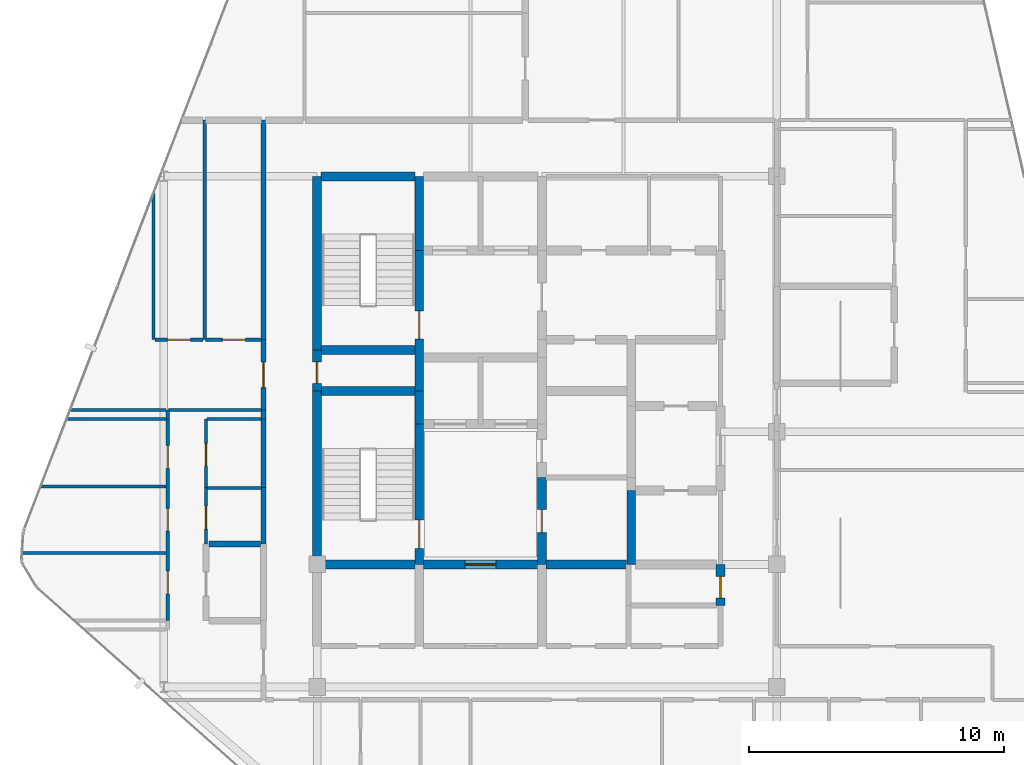
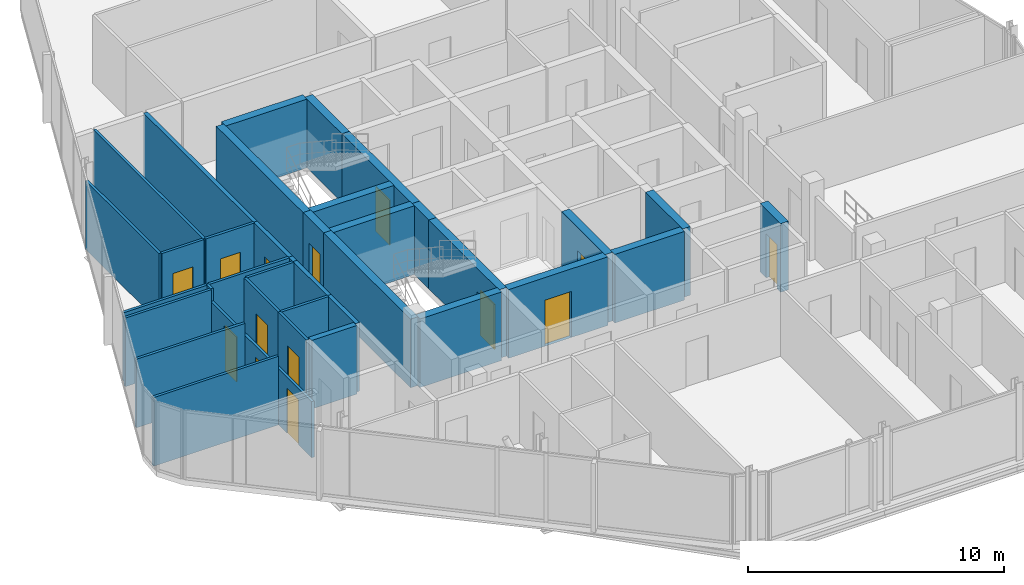
# One storey, part 23 of 27: 37 walls, 14 doors, 14 openings.
"""IFC4 building model written with IfcOpenShell, lengths in metres."""

from ifc_helpers import new_model, si_unit, direction, frame, frame_2d, origin, place, context, subcontext, project, spatial, rectangle, extrude, material, layer, layer_set, type_object, element, fill, save


model = new_model("IFC4")

# Units and contexts
model_context = context("Model", 3, precision=1e-05, world=origin(), true_north=direction((0.0, 1.0)))
body_context = subcontext(model_context, "Body", "Model", "MODEL_VIEW")
ifc_project = project(units=[si_unit("LENGTHUNIT", "METRE"), si_unit("AREAUNIT", "SQUARE_METRE"), si_unit("VOLUMEUNIT", "CUBIC_METRE"), si_unit("PLANEANGLEUNIT", "RADIAN"), si_unit("MASSUNIT", "GRAM", prefix="KILO")], contexts=[model_context])

# Site, building, storey
site_placement = place(None, origin())
site = spatial("IfcSite", under=ifc_project, at=site_placement, CompositionType="ELEMENT")
building_placement = place(site_placement, origin())
building = spatial("IfcBuilding", under=site, at=building_placement, Name="Keshet Zoharim Tower", CompositionType="ELEMENT")
storey_placement = place(building_placement, frame((0.0, 0.0, 311.0)))
storey = spatial("IfcBuildingStorey", under=building, at=storey_placement, Name="L78", CompositionType="ELEMENT", Elevation=311.0)

# Wall
ifc_material_1 = material(Name="Concrete C60/75", Category="concrete")
ifc_layer_1 = layer(ifc_material_1, 0.35009765625)
ifc_layer_set_1 = layer_set([ifc_layer_1], Name="Concrete C60/75")
wall_type_1 = type_object("IfcWallType", Name="WL-CORE-350", PredefinedType="SHEAR", material=ifc_layer_set_1)
wall_1_placement = place(storey_placement, frame((15.0, 22.699951171875, 0.0), z_axis=(0.0, 0.0, 1.0), x_axis=(0.0, 1.0, 0.0)))
element("IfcWall", 1, at=wall_1_placement, inside=storey, type_object=wall_type_1, Name="L78 Core Shear Wall 019", PredefinedType="SHEAR", context=body_context, shape_type="SweptSolid", body=[
    extrude(rectangle(XDim=6.800048828125, YDim=0.35009765625, at=frame_2d((3.39990234375, 0.0))), origin(), (0.0, 0.0, 1.0), 3.280029296875),
])

# Wall, opening, door
wall_2_placement = place(storey_placement, frame((15.0, 29.5, 0.0), z_axis=(0.0, 0.0, 1.0), x_axis=(0.0, 1.0, 0.0)))
wall_2 = element("IfcWall", 2, at=wall_2_placement, inside=storey, type_object=wall_type_1, Name="L78 Core Shear Wall 020", PredefinedType="SHEAR", context=body_context, shape_type="SweptSolid", body=[
    extrude(rectangle(XDim=1.60009765625, YDim=0.35009765625, at=frame_2d((0.800048828125, 0.0))), origin(), (0.0, 0.0, 1.0), 3.280029296875),
])
opening_1_placement = place(wall_2_placement, frame((0.287109375, 0.0, 0.0)))
opening_1 = element("IfcOpeningElement", 3, at=opening_1_placement, cuts=wall_2, Name="Opening D-RS85", PredefinedType="OPENING", context=body_context, shape_type="SweptSolid", body=[
    extrude(rectangle(XDim=0.85009765625, YDim=2.10009765625, at=frame_2d((0.425048828125, 1.050048828125))), frame((0.0, 0.18505859375, 0.0), z_axis=(0.0, -1.0, 0.0), x_axis=(1.0, 0.0, 0.0)), (0.0, 0.0, 1.0), 0.3701171875),
])
ifc_material_2 = material(Name="Hardwood Timber", Category="wood")
door_type_1 = type_object("IfcDoorType", Name="DR-RIS-085", OperationType="NOTDEFINED", PredefinedType="DOOR", material=ifc_material_2)
door_1_placement = place(opening_1_placement, origin())
door_1 = element("IfcDoor", 4, at=door_1_placement, inside=storey, type_object=door_type_1, Name="L78 Electrical Riser Access Cupboard Door", OperationType="SINGLE_SWING_LEFT", OverallHeight=2.10009765625, OverallWidth=0.85009765625, PredefinedType="DOOR", context=body_context, shape_type="SweptSolid", body=[
    extrude(rectangle(XDim=0.85009765625, YDim=2.10009765625, at=frame_2d((0.425048828125, 1.050048828125))), frame((0.0, 0.02490234375, 0.0), z_axis=(0.0, -1.0, 0.0), x_axis=(1.0, 0.0, 0.0)), (0.0, 0.0, 1.0), 0.050048828125),
])
fill(opening_1, door_1)

# Wall
wall_3_placement = place(storey_placement, frame((15.0, 31.10009765625, 0.0), z_axis=(0.0, 0.0, 1.0), x_axis=(0.0, 1.0, 0.0)))
element("IfcWall", 5, at=wall_3_placement, inside=storey, type_object=wall_type_1, Name="L78 Core Shear Wall 021", PredefinedType="SHEAR", context=body_context, shape_type="SweptSolid", body=[
    extrude(rectangle(XDim=6.7998046875, YDim=0.35009765625, at=frame_2d((3.39990234375, 0.0))), origin(), (0.0, 0.0, 1.0), 3.280029296875),
])

# Wall, opening, door
wall_4_placement = place(storey_placement, frame((19.0, 22.699951171875, 0.0), z_axis=(0.0, 0.0, 1.0), x_axis=(0.0, 1.0, 0.0)))
wall_4 = element("IfcWall", 6, at=wall_4_placement, inside=storey, type_object=wall_type_1, Name="L78 Core Shear Wall 025", PredefinedType="SHEAR", context=body_context, shape_type="SweptSolid", body=[
    extrude(rectangle(XDim=5.5, YDim=0.35009765625, at=frame_2d((2.75, 0.0))), origin(), (0.0, 0.0, 1.0), 3.280029296875),
])
opening_2_placement = place(wall_4_placement, frame((0.631103515625, 0.0, 0.0)))
opening_2 = element("IfcOpeningElement", 7, at=opening_2_placement, cuts=wall_4, Name="Opening D-F611", PredefinedType="OPENING", context=body_context, shape_type="SweptSolid", body=[
    extrude(rectangle(XDim=1.10009765625, YDim=2.14990234375, at=frame_2d((0.550048828125, 1.074951171875))), frame((0.0, 0.18505859375, 0.0), z_axis=(0.0, -1.0, 0.0), x_axis=(1.0, 0.0, 0.0)), (0.0, 0.0, 1.0), 0.3701171875),
])
door_type_2 = type_object("IfcDoorType", Name="DR-FD60-110", OperationType="NOTDEFINED", PredefinedType="DOOR", material=ifc_material_2)
door_2_placement = place(opening_2_placement, origin())
door_2 = element("IfcDoor", 8, at=door_2_placement, inside=storey, type_object=door_type_2, Name="L78 Exit Stair ST-01 Fire Door", OperationType="SINGLE_SWING_LEFT", OverallHeight=2.14990234375, OverallWidth=1.10009765625, PredefinedType="DOOR", context=body_context, shape_type="SweptSolid", body=[
    extrude(rectangle(XDim=1.10009765625, YDim=2.14990234375, at=frame_2d((0.550048828125, 1.074951171875))), frame((0.0, 0.02490234375, 0.0), z_axis=(0.0, -1.0, 0.0), x_axis=(1.0, 0.0, 0.0)), (0.0, 0.0, 1.0), 0.050048828125),
])
fill(opening_2, door_2)

# Wall
wall_5_placement = place(storey_placement, frame((19.0, 28.199951171875, 0.0), z_axis=(0.0, 0.0, 1.0), x_axis=(0.0, 1.0, 0.0)))
element("IfcWall", 9, at=wall_5_placement, inside=storey, type_object=wall_type_1, Name="L78 Core Shear Wall 026", PredefinedType="SHEAR", context=body_context, shape_type="SweptSolid", body=[
    extrude(rectangle(XDim=1.300048828125, YDim=0.35009765625, at=frame_2d((0.64990234375, 0.0))), origin(), (0.0, 0.0, 1.0), 3.280029296875),
])

# Wall, opening, door
wall_6_placement = place(storey_placement, frame((19.0, 29.5, 0.0), z_axis=(0.0, 0.0, 1.0), x_axis=(0.0, 1.0, 0.0)))
wall_6 = element("IfcWall", 10, at=wall_6_placement, inside=storey, type_object=wall_type_1, Name="L78 Core Shear Wall 027", PredefinedType="SHEAR", context=body_context, shape_type="SweptSolid", body=[
    extrude(rectangle(XDim=5.5, YDim=0.35009765625, at=frame_2d((2.75, 0.0))), origin(), (0.0, 0.0, 1.0), 3.280029296875),
])
opening_3_placement = place(wall_6_placement, frame((2.02490234375, 0.0, 0.0)))
opening_3 = element("IfcOpeningElement", 11, at=opening_3_placement, cuts=wall_6, Name="Opening D-F611", PredefinedType="OPENING", context=body_context, shape_type="SweptSolid", body=[
    extrude(rectangle(XDim=1.10009765625, YDim=2.14990234375, at=frame_2d((0.550048828125, 1.074951171875))), frame((0.0, 0.18505859375, 0.0), z_axis=(0.0, -1.0, 0.0), x_axis=(1.0, 0.0, 0.0)), (0.0, 0.0, 1.0), 0.3701171875),
])
door_3_placement = place(opening_3_placement, origin())
door_3 = element("IfcDoor", 12, at=door_3_placement, inside=storey, type_object=door_type_2, Name="L78 Exit Stair ST-02 Fire Door", OperationType="SINGLE_SWING_RIGHT", OverallHeight=2.14990234375, OverallWidth=1.10009765625, PredefinedType="DOOR", context=body_context, shape_type="SweptSolid", body=[
    extrude(rectangle(XDim=1.10009765625, YDim=2.14990234375, at=frame_2d((0.550048828125, 1.074951171875))), frame((0.0, 0.02490234375, 0.0), z_axis=(0.0, -1.0, 0.0), x_axis=(1.0, 0.0, 0.0)), (0.0, 0.0, 1.0), 0.050048828125),
])
fill(opening_3, door_3)

# Wall
wall_7_placement = place(storey_placement, frame((19.0, 35.0, 0.0), z_axis=(0.0, 0.0, 1.0), x_axis=(0.0, 1.0, 0.0)))
element("IfcWall", 13, at=wall_7_placement, inside=storey, type_object=wall_type_1, Name="L78 Core Shear Wall 028", PredefinedType="SHEAR", context=body_context, shape_type="SweptSolid", body=[
    extrude(rectangle(XDim=2.89990234375, YDim=0.35009765625, at=frame_2d((1.449951171875, 0.0))), origin(), (0.0, 0.0, 1.0), 3.280029296875),
])

# Wall, opening, door
wall_8_placement = place(storey_placement, frame((23.800048828125, 22.699951171875, 0.0), z_axis=(0.0, 0.0, 1.0), x_axis=(0.0, 1.0, 0.0)))
wall_8 = element("IfcWall", 14, at=wall_8_placement, inside=storey, type_object=wall_type_1, Name="L78 Core Shear Wall 038", PredefinedType="SHEAR", context=body_context, shape_type="SweptSolid", body=[
    extrude(rectangle(XDim=3.400146484375, YDim=0.35009765625, at=frame_2d((1.7001953125, 0.0))), origin(), (0.0, 0.0, 1.0), 3.280029296875),
])
opening_4_placement = place(wall_8_placement, frame((1.25, 0.0, 0.0)))
opening_4 = element("IfcOpeningElement", 15, at=opening_4_placement, cuts=wall_8, Name="Opening D-F690", PredefinedType="OPENING", context=body_context, shape_type="SweptSolid", body=[
    extrude(rectangle(XDim=0.89990234375, YDim=2.14990234375, at=frame_2d((0.449951171875, 1.074951171875))), frame((0.0, 0.18505859375, 0.0), z_axis=(0.0, -1.0, 0.0), x_axis=(1.0, 0.0, 0.0)), (0.0, 0.0, 1.0), 0.3701171875),
])
door_type_3 = type_object("IfcDoorType", Name="DR-FD60-090", OperationType="NOTDEFINED", PredefinedType="DOOR", material=ifc_material_2)
door_4_placement = place(opening_4_placement, origin())
door_4 = element("IfcDoor", 16, at=door_4_placement, inside=storey, type_object=door_type_3, Name="L78 Core Linen Store Door", OperationType="SINGLE_SWING_LEFT", OverallHeight=2.14990234375, OverallWidth=0.89990234375, PredefinedType="DOOR", context=body_context, shape_type="SweptSolid", body=[
    extrude(rectangle(XDim=0.89990234375, YDim=2.14990234375, at=frame_2d((0.449951171875, 1.074951171875))), frame((0.0, 0.02490234375, 0.0), z_axis=(0.0, -1.0, 0.0), x_axis=(1.0, 0.0, 0.0)), (0.0, 0.0, 1.0), 0.050048828125),
])
fill(opening_4, door_4)

# Wall
wall_9_placement = place(storey_placement, frame((27.300048828125, 22.699951171875, 0.0), z_axis=(0.0, 0.0, 1.0), x_axis=(0.0, 1.0, 0.0)))
element("IfcWall", 17, at=wall_9_placement, inside=storey, type_object=wall_type_1, Name="L78 Core Shear Wall 046", PredefinedType="SHEAR", context=body_context, shape_type="SweptSolid", body=[
    extrude(rectangle(XDim=2.900146484375, YDim=0.35009765625, at=frame_2d((1.4501953125, 0.0))), origin(), (0.0, 0.0, 1.0), 3.280029296875),
])

# Wall, opening, door
wall_10_placement = place(storey_placement, frame((30.800048828125, 21.10009765625, 0.0), z_axis=(0.0, 0.0, 1.0), x_axis=(0.0, 1.0, 0.0)))
wall_10 = element("IfcWall", 18, at=wall_10_placement, inside=storey, type_object=wall_type_1, Name="L78 Core Shear Wall 054", PredefinedType="SHEAR", context=body_context, shape_type="SweptSolid", body=[
    extrude(rectangle(XDim=1.599853515625, YDim=0.35009765625, at=frame_2d((0.7998046875, 0.0))), origin(), (0.0, 0.0, 1.0), 3.280029296875),
])
opening_5_placement = place(wall_10_placement, frame((0.287109375, 0.0, 0.0)))
opening_5 = element("IfcOpeningElement", 19, at=opening_5_placement, cuts=wall_10, Name="Opening D-RS85", PredefinedType="OPENING", context=body_context, shape_type="SweptSolid", body=[
    extrude(rectangle(XDim=0.85009765625, YDim=2.10009765625, at=frame_2d((0.425048828125, 1.050048828125))), frame((0.0, 0.18505859375, 0.0), z_axis=(0.0, -1.0, 0.0), x_axis=(1.0, 0.0, 0.0)), (0.0, 0.0, 1.0), 0.3701171875),
])
door_5_placement = place(opening_5_placement, origin())
door_5 = element("IfcDoor", 20, at=door_5_placement, inside=storey, type_object=door_type_1, Name="L78 Linen Store Door", OperationType="SINGLE_SWING_LEFT", OverallHeight=2.10009765625, OverallWidth=0.85009765625, PredefinedType="DOOR", context=body_context, shape_type="SweptSolid", body=[
    extrude(rectangle(XDim=0.85009765625, YDim=2.10009765625, at=frame_2d((0.425048828125, 1.050048828125))), frame((0.0, 0.02490234375, 0.0), z_axis=(0.0, -1.0, 0.0), x_axis=(1.0, 0.0, 0.0)), (0.0, 0.0, 1.0), 0.050048828125),
])
fill(opening_5, door_5)

# Wall
wall_11_placement = place(storey_placement, frame((15.159912109375, 22.699951171875, 0.0), z_axis=(0.0, 0.0, 1.0), x_axis=(1.0, 0.0, 0.0)))
element("IfcWall", 21, at=wall_11_placement, inside=storey, type_object=wall_type_1, Name="L78 Core Shear Wall 108", PredefinedType="SHEAR", context=body_context, shape_type="SweptSolid", body=[
    extrude(rectangle(XDim=3.68017578125, YDim=0.35009765625, at=frame_2d((1.840087890625, 0.0))), origin(), (0.0, 0.0, 1.0), 3.280029296875),
])

# Wall, opening, door
wall_12_placement = place(storey_placement, frame((19.159912109375, 22.699951171875, 0.0), z_axis=(0.0, 0.0, 1.0), x_axis=(1.0, 0.0, 0.0)))
wall_12 = element("IfcWall", 22, at=wall_12_placement, inside=storey, type_object=wall_type_1, Name="L78 Core Shear Wall 109", PredefinedType="SHEAR", context=body_context, shape_type="SweptSolid", body=[
    extrude(rectangle(XDim=4.47998046875, YDim=0.35009765625, at=frame_2d((2.239990234375, 0.0))), origin(), (0.0, 0.0, 1.0), 3.280029296875),
])
opening_6_placement = place(wall_12_placement, frame((1.639892578125, 0.0, 0.0)))
opening_6 = element("IfcOpeningElement", 23, at=opening_6_placement, cuts=wall_12, Name="Opening D-F612", PredefinedType="OPENING", context=body_context, shape_type="SweptSolid", body=[
    extrude(rectangle(XDim=1.199951171875, YDim=2.199951171875, at=frame_2d((0.60009765625, 1.10009765625))), frame((0.0, 0.18505859375, 0.0), z_axis=(0.0, -1.0, 0.0), x_axis=(1.0, 0.0, 0.0)), (0.0, 0.0, 1.0), 0.3701171875),
])
door_type_4 = type_object("IfcDoorType", Name="DR-FD60-120", OperationType="NOTDEFINED", PredefinedType="DOOR", material=ifc_material_2)
door_6_placement = place(opening_6_placement, origin())
door_6 = element("IfcDoor", 24, at=door_6_placement, inside=storey, type_object=door_type_4, Name="L78 South Core Lobby Fire Door", OperationType="SINGLE_SWING_LEFT", OverallHeight=2.199951171875, OverallWidth=1.199951171875, PredefinedType="DOOR", context=body_context, shape_type="SweptSolid", body=[
    extrude(rectangle(XDim=1.199951171875, YDim=2.199951171875, at=frame_2d((0.60009765625, 1.10009765625))), frame((0.0, 0.02490234375, 0.0), z_axis=(0.0, -1.0, 0.0), x_axis=(1.0, 0.0, 0.0)), (0.0, 0.0, 1.0), 0.050048828125),
])
fill(opening_6, door_6)

# Walls
wall_13_placement = place(storey_placement, frame((23.9599609375, 22.699951171875, 0.0), z_axis=(0.0, 0.0, 1.0), x_axis=(1.0, 0.0, 0.0)))
element("IfcWall", 25, at=wall_13_placement, inside=storey, type_object=wall_type_1, Name="L78 Core Shear Wall 110", PredefinedType="SHEAR", context=body_context, shape_type="SweptSolid", body=[
    extrude(rectangle(XDim=3.155029296875, YDim=0.35009765625, at=frame_2d((1.57763671875, 0.0))), origin(), (0.0, 0.0, 1.0), 3.280029296875),
])
for number, where, z_axis, x_axis, name in (
    (26, (15.159912109375, 29.5, 0.0), (0.0, 0.0, 1.0), (1.0, 0.0, 0.0), "L78 Core Shear Wall 126"),
    (27, (15.159912109375, 31.10009765625, 0.0), (0.0, 0.0, 1.0), (1.0, 0.0, 0.0), "L78 Core Shear Wall 131"),
    (28, (15.159912109375, 37.89990234375, 0.0), (0.0, 0.0, 1.0), (1.0, 0.0, 0.0), "L78 Core Shear Wall 142"),
):
    element("IfcWall", number, at=place(storey_placement, frame(where, z_axis=z_axis, x_axis=x_axis)), inside=storey, type_object=wall_type_1, Name=name, PredefinedType="SHEAR", context=body_context, shape_type="SweptSolid", body=[
        extrude(rectangle(XDim=3.68017578125, YDim=0.35009765625, at=frame_2d((1.840087890625, 0.0))), origin(), (0.0, 0.0, 1.0), 3.280029296875),
    ])
ifc_material_3 = material(Name="Gypsum Plasterboard", Category="gypsum")
ifc_layer_2 = layer(ifc_material_3, 0.179931640625)
ifc_layer_set_2 = layer_set([ifc_layer_2], Name="Gypsum Plasterboard")
wall_type_2 = type_object("IfcWallType", Name="WL-CORR-180", PredefinedType="STANDARD", material=ifc_layer_set_2)
wall_14_placement = place(storey_placement, frame((12.89990234375, 23.501953125, 0.0), z_axis=(0.0, 0.0, 1.0), x_axis=(0.0, 1.0, 0.0)))
element("IfcWall", 29, at=wall_14_placement, inside=storey, type_object=wall_type_2, Name="L78 Interior Wall 011", PredefinedType="STANDARD", context=body_context, shape_type="SweptSolid", body=[
    extrude(rectangle(XDim=2.212158203125, YDim=0.179931640625, at=frame_2d((1.10595703125, 0.0))), origin(), (0.0, 0.0, 1.0), 3.280029296875),
])
wall_15_placement = place(storey_placement, frame((12.89990234375, 25.714111328125, 0.0), z_axis=(0.0, 0.0, 1.0), x_axis=(0.0, 1.0, 0.0)))
element("IfcWall", 30, at=wall_15_placement, inside=storey, type_object=wall_type_2, Name="L78 Interior Wall 012", PredefinedType="STANDARD", context=body_context, shape_type="SweptSolid", body=[
    extrude(rectangle(XDim=2.685791015625, YDim=0.179931640625, at=frame_2d((1.3427734375, 0.0))), origin(), (0.0, 0.0, 1.0), 3.280029296875),
])
wall_16_placement = place(storey_placement, frame((12.89990234375, 28.39990234375, 0.0), z_axis=(0.0, 0.0, 1.0), x_axis=(0.0, 1.0, 0.0)))
element("IfcWall", 31, at=wall_16_placement, inside=storey, type_object=wall_type_2, Name="L78 Interior Wall 013", PredefinedType="STANDARD", context=body_context, shape_type="SweptSolid", body=[
    extrude(rectangle(XDim=0.35009765625, YDim=0.179931640625, at=frame_2d((0.175048828125, 0.0))), origin(), (0.0, 0.0, 1.0), 3.280029296875),
])

# Wall, opening, door
wall_17_placement = place(storey_placement, frame((12.89990234375, 28.75, 0.0), z_axis=(0.0, 0.0, 1.0), x_axis=(0.0, 1.0, 0.0)))
wall_17 = element("IfcWall", 32, at=wall_17_placement, inside=storey, type_object=wall_type_2, Name="L78 Interior Wall 014", PredefinedType="STANDARD", context=body_context, shape_type="SweptSolid", body=[
    extrude(rectangle(XDim=2.75, YDim=0.179931640625, at=frame_2d((1.375, 0.0))), origin(), (0.0, 0.0, 1.0), 3.280029296875),
])
opening_7_placement = place(wall_17_placement, frame((0.875, 0.0, 0.0)))
opening_7 = element("IfcOpeningElement", 33, at=opening_7_placement, cuts=wall_17, Name="Opening D-F310", PredefinedType="OPENING", context=body_context, shape_type="SweptSolid", body=[
    extrude(rectangle(XDim=1.0, YDim=2.14990234375, at=frame_2d((0.5, 1.074951171875))), frame((0.0, 0.10009765625, 0.0), z_axis=(0.0, -1.0, 0.0), x_axis=(1.0, 0.0, 0.0)), (0.0, 0.0, 1.0), 0.199951171875),
])
door_type_5 = type_object("IfcDoorType", Name="DR-FD30-100", OperationType="NOTDEFINED", PredefinedType="DOOR", material=ifc_material_2)
door_7_placement = place(opening_7_placement, origin())
door_7 = element("IfcDoor", 34, at=door_7_placement, inside=storey, type_object=door_type_5, Name="Apartment 7806 Entrance Door", OperationType="SINGLE_SWING_RIGHT", OverallHeight=2.14990234375, OverallWidth=1.0, PredefinedType="DOOR", context=body_context, shape_type="SweptSolid", body=[
    extrude(rectangle(XDim=1.0, YDim=2.14990234375, at=frame_2d((0.5, 1.074951171875))), frame((0.0, 0.02490234375, 0.0), z_axis=(0.0, -1.0, 0.0), x_axis=(1.0, 0.0, 0.0)), (0.0, 0.0, 1.0), 0.050048828125),
])
fill(opening_7, door_7)

# Walls
wall_18_placement = place(storey_placement, frame((12.89990234375, 31.5, 0.0), z_axis=(0.0, 0.0, 1.0), x_axis=(0.0, 1.0, 0.0)))
element("IfcWall", 35, at=wall_18_placement, inside=storey, type_object=wall_type_2, Name="L78 Interior Wall 015", PredefinedType="STANDARD", context=body_context, shape_type="SweptSolid", body=[
    extrude(rectangle(XDim=8.60009765625, YDim=0.179931640625, at=frame_2d((4.300048828125, 0.0))), origin(), (0.0, 0.0, 1.0), 3.280029296875),
])
ifc_material_4 = material(Name="Concrete C50/60", Category="concrete")
ifc_layer_3 = layer(ifc_material_4, 0.25)
ifc_layer_set_3 = layer_set([ifc_layer_3], Name="Concrete C50/60")
wall_type_3 = type_object("IfcWallType", Name="WL-MAMAD-250", PredefinedType="STANDARD", material=ifc_layer_set_3)
wall_19_placement = place(storey_placement, frame((10.760009765625, 23.5, 0.0), z_axis=(0.0, 0.0, 1.0), x_axis=(1.0, 0.0, 0.0)))
element("IfcWall", 36, at=wall_19_placement, inside=storey, type_object=wall_type_3, Name="L78 Interior Wall 113", PredefinedType="STANDARD", context=body_context, shape_type="SweptSolid", body=[
    extrude(rectangle(XDim=2.030029296875, YDim=0.25, at=frame_2d((1.01513671875, 0.0))), origin(), (0.0, 0.0, 1.0), 3.280029296875),
])
ifc_layer_4 = layer(ifc_material_3, 0.1201171875)
ifc_layer_set_4 = layer_set([ifc_layer_4], Name="Gypsum Plasterboard")
wall_type_4 = type_object("IfcWallType", Name="WL-PART-120", PredefinedType="PARTITIONING", material=ifc_layer_set_4)
wall_20_placement = place(storey_placement, frame((8.60009765625, 31.5, 0.0), z_axis=(0.0, 0.0, 1.0), x_axis=(0.0, 1.0, 0.0)))
element("IfcWall", 37, at=wall_20_placement, inside=storey, type_object=wall_type_4, Name="L78 Interior Wall 001", PredefinedType="PARTITIONING", context=body_context, shape_type="SweptSolid", body=[
    extrude(rectangle(XDim=5.75, YDim=0.1201171875, at=frame_2d((2.875, 0.0))), origin(), (0.0, 0.0, 1.0), 3.280029296875),
])

# Wall, openings, doors
wall_21_placement = place(storey_placement, frame((9.14990234375, 20.5, 0.0), z_axis=(0.0, 0.0, 1.0), x_axis=(0.0, 1.0, 0.0)))
wall_21 = element("IfcWall", 38, at=wall_21_placement, inside=storey, type_object=wall_type_4, Name="L78 Interior Wall 003", PredefinedType="PARTITIONING", context=body_context, shape_type="SweptSolid", body=[
    extrude(rectangle(XDim=7.89990234375, YDim=0.1201171875, at=frame_2d((3.949951171875, 0.0))), origin(), (0.0, 0.0, 1.0), 2.679931640625),
])
opening_8_placement = place(wall_21_placement, frame((1.041015625, 0.0, 0.0)))
opening_8 = element("IfcOpeningElement", 39, at=opening_8_placement, cuts=wall_21, Name="Opening D-IN90", PredefinedType="OPENING", context=body_context, shape_type="SweptSolid", body=[
    extrude(rectangle(XDim=0.89990234375, YDim=2.14990234375, at=frame_2d((0.449951171875, 1.074951171875))), frame((0.0, 0.070068359375, 0.0), z_axis=(0.0, -1.0, 0.0), x_axis=(1.0, 0.0, 0.0)), (0.0, 0.0, 1.0), 0.14013671875),
])
opening_9_placement = place(wall_21_placement, frame((3.5, 0.0, 0.0)))
opening_9 = element("IfcOpeningElement", 40, at=opening_9_placement, cuts=wall_21, Name="Opening D-IN90", PredefinedType="OPENING", context=body_context, shape_type="SweptSolid", body=[
    extrude(rectangle(XDim=0.89990234375, YDim=2.14990234375, at=frame_2d((0.449951171875, 1.074951171875))), frame((0.0, 0.070068359375, 0.0), z_axis=(0.0, -1.0, 0.0), x_axis=(1.0, 0.0, 0.0)), (0.0, 0.0, 1.0), 0.14013671875),
])
opening_10_placement = place(wall_21_placement, frame((5.958984375, 0.0, 0.0)))
opening_10 = element("IfcOpeningElement", 41, at=opening_10_placement, cuts=wall_21, Name="Opening D-IN90", PredefinedType="OPENING", context=body_context, shape_type="SweptSolid", body=[
    extrude(rectangle(XDim=0.89990234375, YDim=2.14990234375, at=frame_2d((0.449951171875, 1.074951171875))), frame((0.0, 0.070068359375, 0.0), z_axis=(0.0, -1.0, 0.0), x_axis=(1.0, 0.0, 0.0)), (0.0, 0.0, 1.0), 0.14013671875),
])
door_type_6 = type_object("IfcDoorType", Name="DR-INT-090", OperationType="NOTDEFINED", PredefinedType="DOOR", material=ifc_material_2)
door_8_placement = place(opening_8_placement, origin())
door_8 = element("IfcDoor", 42, at=door_8_placement, inside=storey, type_object=door_type_6, Name="Apartment 7805 Bedroom 1 Door", OperationType="SINGLE_SWING_LEFT", OverallHeight=2.14990234375, OverallWidth=0.89990234375, PredefinedType="DOOR", context=body_context, shape_type="SweptSolid", body=[
    extrude(rectangle(XDim=0.89990234375, YDim=2.14990234375, at=frame_2d((0.449951171875, 1.074951171875))), frame((0.0, 0.02490234375, 0.0), z_axis=(0.0, -1.0, 0.0), x_axis=(1.0, 0.0, 0.0)), (0.0, 0.0, 1.0), 0.050048828125),
])
fill(opening_8, door_8)
door_9_placement = place(opening_9_placement, origin())
door_9 = element("IfcDoor", 43, at=door_9_placement, inside=storey, type_object=door_type_6, Name="Apartment 7805 Bedroom 2 Door", OperationType="SINGLE_SWING_RIGHT", OverallHeight=2.14990234375, OverallWidth=0.89990234375, PredefinedType="DOOR", context=body_context, shape_type="SweptSolid", body=[
    extrude(rectangle(XDim=0.89990234375, YDim=2.14990234375, at=frame_2d((0.449951171875, 1.074951171875))), frame((0.0, 0.02490234375, 0.0), z_axis=(0.0, -1.0, 0.0), x_axis=(1.0, 0.0, 0.0)), (0.0, 0.0, 1.0), 0.050048828125),
])
fill(opening_9, door_9)
door_10_placement = place(opening_10_placement, origin())
door_10 = element("IfcDoor", 44, at=door_10_placement, inside=storey, type_object=door_type_6, Name="Apartment 7805 Bedroom 3 Door", OperationType="SINGLE_SWING_LEFT", OverallHeight=2.14990234375, OverallWidth=0.89990234375, PredefinedType="DOOR", context=body_context, shape_type="SweptSolid", body=[
    extrude(rectangle(XDim=0.89990234375, YDim=2.14990234375, at=frame_2d((0.449951171875, 1.074951171875))), frame((0.0, 0.02490234375, 0.0), z_axis=(0.0, -1.0, 0.0), x_axis=(1.0, 0.0, 0.0)), (0.0, 0.0, 1.0), 0.050048828125),
])
fill(opening_10, door_10)

# Wall
wall_22_placement = place(storey_placement, frame((9.14990234375, 28.39990234375, 0.0), z_axis=(0.0, 0.0, 1.0), x_axis=(0.0, 1.0, 0.0)))
element("IfcWall", 45, at=wall_22_placement, inside=storey, type_object=wall_type_4, Name="L78 Interior Wall 004", PredefinedType="PARTITIONING", context=body_context, shape_type="SweptSolid", body=[
    extrude(rectangle(XDim=0.35009765625, YDim=0.1201171875, at=frame_2d((0.175048828125, 0.0))), origin(), (0.0, 0.0, 1.0), 3.280029296875),
])

# Wall, opening, door
wall_23_placement = place(storey_placement, frame((10.64990234375, 25.714111328125, 0.0), z_axis=(0.0, 0.0, 1.0), x_axis=(0.0, 1.0, 0.0)))
wall_23 = element("IfcWall", 46, at=wall_23_placement, inside=storey, type_object=wall_type_4, Name="L78 Interior Wall 008", PredefinedType="PARTITIONING", context=body_context, shape_type="SweptSolid", body=[
    extrude(rectangle(XDim=2.685791015625, YDim=0.1201171875, at=frame_2d((1.3427734375, 0.0))), origin(), (0.0, 0.0, 1.0), 3.280029296875),
])
opening_11_placement = place(wall_23_placement, frame((0.822021484375, 0.0, 0.0)))
opening_11 = element("IfcOpeningElement", 47, at=opening_11_placement, cuts=wall_23, Name="Opening D-IN90", PredefinedType="OPENING", context=body_context, shape_type="SweptSolid", body=[
    extrude(rectangle(XDim=0.89990234375, YDim=2.14990234375, at=frame_2d((0.449951171875, 1.074951171875))), frame((0.0, 0.070068359375, 0.0), z_axis=(0.0, -1.0, 0.0), x_axis=(1.0, 0.0, 0.0)), (0.0, 0.0, 1.0), 0.14013671875),
])
door_11_placement = place(opening_11_placement, origin())
door_11 = element("IfcDoor", 48, at=door_11_placement, inside=storey, type_object=door_type_6, Name="Apartment 7805 Kitchen Door", OperationType="SINGLE_SWING_RIGHT", OverallHeight=2.14990234375, OverallWidth=0.89990234375, PredefinedType="DOOR", context=body_context, shape_type="SweptSolid", body=[
    extrude(rectangle(XDim=0.89990234375, YDim=2.14990234375, at=frame_2d((0.449951171875, 1.074951171875))), frame((0.0, 0.02490234375, 0.0), z_axis=(0.0, -1.0, 0.0), x_axis=(1.0, 0.0, 0.0)), (0.0, 0.0, 1.0), 0.050048828125),
])
fill(opening_11, door_11)

# Walls
wall_24_placement = place(storey_placement, frame((3.451904296875, 23.14990234375, 0.0), z_axis=(0.0, 0.0, 1.0), x_axis=(1.0, 0.0, 0.0)))
element("IfcWall", 49, at=wall_24_placement, inside=storey, type_object=wall_type_4, Name="L78 Interior Wall 112", PredefinedType="PARTITIONING", context=body_context, shape_type="SweptSolid", body=[
    extrude(rectangle(XDim=5.633056640625, YDim=0.1201171875, at=frame_2d((2.81640625, 0.0))), origin(), (0.0, 0.0, 1.0), 3.280029296875),
])
wall_25_placement = place(storey_placement, frame((4.18310546875, 25.75, 0.0), z_axis=(0.0, 0.0, 1.0), x_axis=(1.0, 0.0, 0.0)))
element("IfcWall", 50, at=wall_25_placement, inside=storey, type_object=wall_type_4, Name="L78 Interior Wall 116", PredefinedType="PARTITIONING", context=body_context, shape_type="SweptSolid", body=[
    extrude(rectangle(XDim=4.90185546875, YDim=0.1201171875, at=frame_2d((2.450927734375, 0.0))), origin(), (0.0, 0.0, 1.0), 3.280029296875),
])
wall_26_placement = place(storey_placement, frame((5.201904296875, 28.39990234375, 0.0), z_axis=(0.0, 0.0, 1.0), x_axis=(1.0, 0.0, 0.0)))
element("IfcWall", 51, at=wall_26_placement, inside=storey, type_object=wall_type_4, Name="L78 Interior Wall 120", PredefinedType="PARTITIONING", context=body_context, shape_type="SweptSolid", body=[
    extrude(rectangle(XDim=3.883056640625, YDim=0.1201171875, at=frame_2d((1.94140625, 0.0))), origin(), (0.0, 0.0, 1.0), 3.280029296875),
])
wall_27_placement = place(storey_placement, frame((10.695068359375, 28.39990234375, 0.0), z_axis=(0.0, 0.0, 1.0), x_axis=(1.0, 0.0, 0.0)))
element("IfcWall", 52, at=wall_27_placement, inside=storey, type_object=wall_type_4, Name="L78 Interior Wall 121", PredefinedType="PARTITIONING", context=body_context, shape_type="SweptSolid", body=[
    extrude(rectangle(XDim=2.1298828125, YDim=0.1201171875, at=frame_2d((1.06494140625, 0.0))), origin(), (0.0, 0.0, 1.0), 3.280029296875),
])
wall_28_placement = place(storey_placement, frame((5.3369140625, 28.75, 0.0), z_axis=(0.0, 0.0, 1.0), x_axis=(1.0, 0.0, 0.0)))
element("IfcWall", 53, at=wall_28_placement, inside=storey, type_object=wall_type_4, Name="L78 Interior Wall 122", PredefinedType="PARTITIONING", context=body_context, shape_type="SweptSolid", body=[
    extrude(rectangle(XDim=3.748046875, YDim=0.1201171875, at=frame_2d((1.8740234375, 0.0))), origin(), (0.0, 0.0, 1.0), 3.280029296875),
])
wall_29_placement = place(storey_placement, frame((9.175048828125, 28.75, 0.0), z_axis=(0.0, 0.0, 1.0), x_axis=(1.0, 0.0, 0.0)))
element("IfcWall", 54, at=wall_29_placement, inside=storey, type_object=wall_type_4, Name="L78 Interior Wall 123", PredefinedType="PARTITIONING", context=body_context, shape_type="SweptSolid", body=[
    extrude(rectangle(XDim=3.64990234375, YDim=0.1201171875, at=frame_2d((1.824951171875, 0.0))), origin(), (0.0, 0.0, 1.0), 3.280029296875),
])

# Wall, opening, door
wall_30_placement = place(storey_placement, frame((8.64501953125, 31.5, 0.0), z_axis=(0.0, 0.0, 1.0), x_axis=(1.0, 0.0, 0.0)))
wall_30 = element("IfcWall", 55, at=wall_30_placement, inside=storey, type_object=wall_type_4, Name="L78 Interior Wall 132", PredefinedType="PARTITIONING", context=body_context, shape_type="SweptSolid", body=[
    extrude(rectangle(XDim=1.887939453125, YDim=0.1201171875, at=frame_2d((0.94384765625, 0.0))), origin(), (0.0, 0.0, 1.0), 3.280029296875),
])
opening_12_placement = place(wall_30_placement, frame((0.493896484375, 0.0, 0.0)))
opening_12 = element("IfcOpeningElement", 56, at=opening_12_placement, cuts=wall_30, Name="Opening D-IN90", PredefinedType="OPENING", context=body_context, shape_type="SweptSolid", body=[
    extrude(rectangle(XDim=0.89990234375, YDim=2.14990234375, at=frame_2d((0.449951171875, 1.074951171875))), frame((0.0, 0.070068359375, 0.0), z_axis=(0.0, -1.0, 0.0), x_axis=(1.0, 0.0, 0.0)), (0.0, 0.0, 1.0), 0.14013671875),
])
door_12_placement = place(opening_12_placement, origin())
door_12 = element("IfcDoor", 57, at=door_12_placement, inside=storey, type_object=door_type_6, Name="Apartment 7806 Kitchen Door", OperationType="SINGLE_SWING_RIGHT", OverallHeight=2.14990234375, OverallWidth=0.89990234375, PredefinedType="DOOR", context=body_context, shape_type="SweptSolid", body=[
    extrude(rectangle(XDim=0.89990234375, YDim=2.14990234375, at=frame_2d((0.449951171875, 1.074951171875))), frame((0.0, 0.02490234375, 0.0), z_axis=(0.0, -1.0, 0.0), x_axis=(1.0, 0.0, 0.0)), (0.0, 0.0, 1.0), 0.050048828125),
])
fill(opening_12, door_12)

# Wall
ifc_layer_5 = layer(ifc_material_3, 0.1201171875)
ifc_layer_set_5 = layer_set([ifc_layer_5], Name="Gypsum Plasterboard")
wall_type_5 = type_object("IfcWallType", Name="WL-WET-120", PredefinedType="PARTITIONING", material=ifc_layer_set_5)
wall_31_placement = place(storey_placement, frame((10.60009765625, 31.5, 0.0), z_axis=(0.0, 0.0, 1.0), x_axis=(0.0, 1.0, 0.0)))
element("IfcWall", 58, at=wall_31_placement, inside=storey, type_object=wall_type_5, Name="L78 Interior Wall 005", PredefinedType="PARTITIONING", context=body_context, shape_type="SweptSolid", body=[
    extrude(rectangle(XDim=8.60009765625, YDim=0.1201171875, at=frame_2d((4.300048828125, 0.0))), origin(), (0.0, 0.0, 1.0), 3.280029296875),
])

# Wall, opening, door
wall_32_placement = place(storey_placement, frame((10.64990234375, 23.501953125, 0.0), z_axis=(0.0, 0.0, 1.0), x_axis=(0.0, 1.0, 0.0)))
wall_32 = element("IfcWall", 59, at=wall_32_placement, inside=storey, type_object=wall_type_5, Name="L78 Interior Wall 007", PredefinedType="PARTITIONING", context=body_context, shape_type="SweptSolid", body=[
    extrude(rectangle(XDim=2.212158203125, YDim=0.1201171875, at=frame_2d((1.10595703125, 0.0))), origin(), (0.0, 0.0, 1.0), 3.280029296875),
])
opening_13_placement = place(wall_32_placement, frame((0.577880859375, 0.0, 0.0)))
opening_13 = element("IfcOpeningElement", 60, at=opening_13_placement, cuts=wall_32, Name="Opening D-WT90", PredefinedType="OPENING", context=body_context, shape_type="SweptSolid", body=[
    extrude(rectangle(XDim=0.89990234375, YDim=2.10009765625, at=frame_2d((0.449951171875, 1.050048828125))), frame((0.0, 0.070068359375, 0.0), z_axis=(0.0, -1.0, 0.0), x_axis=(1.0, 0.0, 0.0)), (0.0, 0.0, 1.0), 0.14013671875),
])
door_type_7 = type_object("IfcDoorType", Name="DR-WET-090", OperationType="NOTDEFINED", PredefinedType="DOOR", material=ifc_material_2)
door_13_placement = place(opening_13_placement, origin())
door_13 = element("IfcDoor", 61, at=door_13_placement, inside=storey, type_object=door_type_7, Name="Apartment 7805 Bathroom Door", OperationType="SINGLE_SWING_LEFT", OverallHeight=2.10009765625, OverallWidth=0.89990234375, PredefinedType="DOOR", context=body_context, shape_type="SweptSolid", body=[
    extrude(rectangle(XDim=0.89990234375, YDim=2.10009765625, at=frame_2d((0.449951171875, 1.050048828125))), frame((0.0, 0.02490234375, 0.0), z_axis=(0.0, -1.0, 0.0), x_axis=(1.0, 0.0, 0.0)), (0.0, 0.0, 1.0), 0.050048828125),
])
fill(opening_13, door_13)

# Wall
wall_33_placement = place(storey_placement, frame((10.695068359375, 25.699951171875, 0.0), z_axis=(0.0, 0.0, 1.0), x_axis=(1.0, 0.0, 0.0)))
element("IfcWall", 62, at=wall_33_placement, inside=storey, type_object=wall_type_5, Name="L78 Interior Wall 115", PredefinedType="PARTITIONING", context=body_context, shape_type="SweptSolid", body=[
    extrude(rectangle(XDim=2.1298828125, YDim=0.1201171875, at=frame_2d((1.06494140625, 0.0))), origin(), (0.0, 0.0, 1.0), 3.280029296875),
])

# Wall, opening, door
wall_34_placement = place(storey_placement, frame((10.623046875, 31.5, 0.0), z_axis=(0.0, 0.0, 1.0), x_axis=(1.0, 0.0, 0.0)))
wall_34 = element("IfcWall", 63, at=wall_34_placement, inside=storey, type_object=wall_type_5, Name="L78 Interior Wall 133", PredefinedType="PARTITIONING", context=body_context, shape_type="SweptSolid", body=[
    extrude(rectangle(XDim=2.201904296875, YDim=0.1201171875, at=frame_2d((1.10107421875, 0.0))), origin(), (0.0, 0.0, 1.0), 3.280029296875),
])
opening_14_placement = place(wall_34_placement, frame((0.666015625, 0.0, 0.0)))
opening_14 = element("IfcOpeningElement", 64, at=opening_14_placement, cuts=wall_34, Name="Opening D-WT90", PredefinedType="OPENING", context=body_context, shape_type="SweptSolid", body=[
    extrude(rectangle(XDim=0.89990234375, YDim=2.10009765625, at=frame_2d((0.449951171875, 1.050048828125))), frame((0.0, 0.070068359375, 0.0), z_axis=(0.0, -1.0, 0.0), x_axis=(1.0, 0.0, 0.0)), (0.0, 0.0, 1.0), 0.14013671875),
])
door_14_placement = place(opening_14_placement, origin())
door_14 = element("IfcDoor", 65, at=door_14_placement, inside=storey, type_object=door_type_7, Name="Apartment 7806 Bathroom Door", OperationType="SINGLE_SWING_LEFT", OverallHeight=2.10009765625, OverallWidth=0.89990234375, PredefinedType="DOOR", context=body_context, shape_type="SweptSolid", body=[
    extrude(rectangle(XDim=0.89990234375, YDim=2.10009765625, at=frame_2d((0.449951171875, 1.050048828125))), frame((0.0, 0.02490234375, 0.0), z_axis=(0.0, -1.0, 0.0), x_axis=(1.0, 0.0, 0.0)), (0.0, 0.0, 1.0), 0.050048828125),
])
fill(opening_14, door_14)

save(model, "model.ifc")
